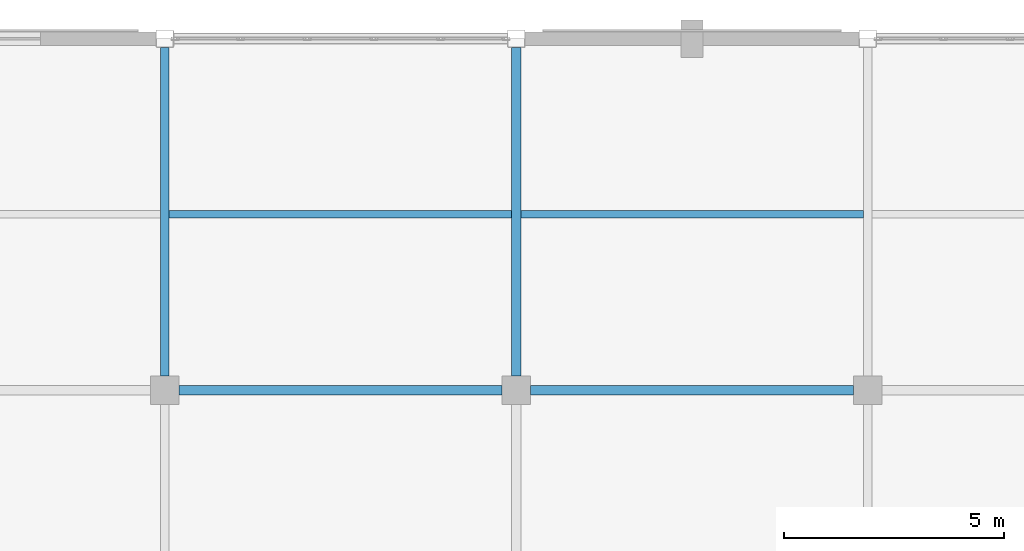
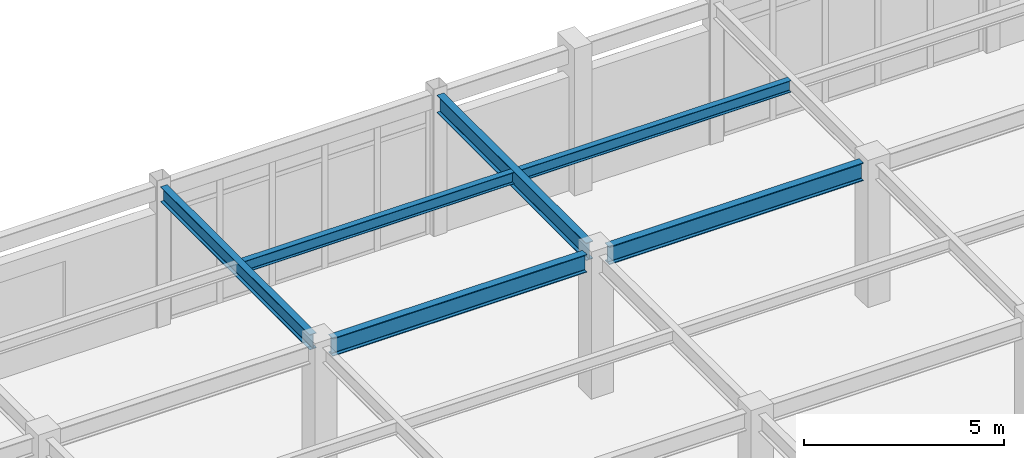
# One storey, part 52 of 111: 6 beams.
"""IFC4 building model written with IfcOpenShell, lengths in metres."""

from ifc_helpers import new_model, si_unit, direction, frame, origin, origin_2d, place, context, subcontext, project, spatial, i_section, extrude, material, material_profile, profile_set, type_object, element, save


model = new_model("IFC4")

# Units and contexts
model_context = context("Model", 3, precision=1e-05, world=origin(), true_north=direction((0.0, 1.0)))
body_context = subcontext(model_context, "Body", "Model", "MODEL_VIEW")
ifc_project = project(units=[si_unit("LENGTHUNIT", "METRE"), si_unit("AREAUNIT", "SQUARE_METRE"), si_unit("VOLUMEUNIT", "CUBIC_METRE"), si_unit("PLANEANGLEUNIT", "RADIAN"), si_unit("MASSUNIT", "GRAM", prefix="KILO")], contexts=[model_context])

# Site, building, storey
site_placement = place(None, origin())
site = spatial("IfcSite", under=ifc_project, at=site_placement, CompositionType="ELEMENT")
building_placement = place(site_placement, origin())
building = spatial("IfcBuilding", under=site, at=building_placement, Name="Solmirada Galleria", CompositionType="ELEMENT")
storey_placement = place(building_placement, frame((0.0, 0.0, 10.39990234375)))
storey = spatial("IfcBuildingStorey", under=building, at=storey_placement, Name="L02", CompositionType="ELEMENT", Elevation=10.39990234375)

# Beams
ifc_material = material(Name="Steel S355 / ASTM A992 Grade 50", Category="steel")
ifc_material_profile_1 = material_profile(ifc_material, i_section(OverallWidth=0.194091796875, OverallDepth=0.468994140625, WebThickness=0.0126953125, FlangeThickness=0.0205078125, FilletRadius=0.013916015625, at=origin_2d()), Name="W18X71")
ifc_profile_set_1 = profile_set([ifc_material_profile_1], Name="Steel S355 / ASTM A992 Grade 50")
beam_type_1 = type_object("IfcBeamType", Name="BM-GIRD-W18B", PredefinedType="BEAM", material=ifc_profile_set_1)
beam_1_placement = place(storey_placement, frame((88.0, 112.324951171875, 4.065673828125), z_axis=(0.0, 1.0, 0.0), x_axis=(-1.0, 0.0, 0.0)))
element("IfcBeam", 1, at=beam_1_placement, inside=storey, type_object=beam_type_1, Name="Primary girder L03 Y(88, 112..120)", PredefinedType="BEAM", context=body_context, shape_type="SweptSolid", body=[
    extrude(i_section(OverallWidth=0.194091796875, OverallDepth=0.468994140625, WebThickness=0.0126953125, FlangeThickness=0.0205078125, FilletRadius=0.013916015625, at=origin_2d()), origin(), (0.0, 0.0, 1.0), 7.47216796875),
])
ifc_material_profile_2 = material_profile(ifc_material, i_section(OverallWidth=0.214111328125, OverallDepth=0.549072265625, WebThickness=0.0146484375, FlangeThickness=0.023681640625, FilletRadius=0.014892578125, at=origin_2d()), Name="W21X93")
ifc_profile_set_2 = profile_set([ifc_material_profile_2], Name="Steel S355 / ASTM A992 Grade 50")
beam_type_2 = type_object("IfcBeamType", Name="BM-GIRD-W21A", PredefinedType="BEAM", material=ifc_profile_set_2)
for number, where, z_axis, x_axis, name in (
    (2, (88.324951171875, 112.0, 4.025634765625), (1.0, 0.0, 0.0), (0.0, 1.0, 0.0), "Primary beam L03 X(88..96, 112)"),
    (3, (96.324951171875, 112.0, 4.025634765625), (1.0, 0.0, 0.0), (0.0, 1.0, 0.0), "Primary beam L03 X(96..104, 112)"),
):
    element("IfcBeam", number, at=place(storey_placement, frame(where, z_axis=z_axis, x_axis=x_axis)), inside=storey, type_object=beam_type_2, Name=name, PredefinedType="BEAM", context=body_context, shape_type="SweptSolid", body=[
        extrude(i_section(OverallWidth=0.214111328125, OverallDepth=0.549072265625, WebThickness=0.0146484375, FlangeThickness=0.023681640625, FilletRadius=0.014892578125, at=origin_2d()), origin(), (0.0, 0.0, 1.0), 7.35009765625),
    ])
ifc_material_profile_3 = material_profile(ifc_material, i_section(OverallWidth=0.2099609375, OverallDepth=0.537109375, WebThickness=0.010986328125, FlangeThickness=0.017333984375, FilletRadius=0.014892578125, at=origin_2d()), Name="W21X68")
ifc_profile_set_3 = profile_set([ifc_material_profile_3], Name="Steel S355 / ASTM A992 Grade 50")
beam_type_3 = type_object("IfcBeamType", Name="BM-GIRD-W21B", PredefinedType="BEAM", material=ifc_profile_set_3)
beam_2_placement = place(storey_placement, frame((96.0, 112.324951171875, 4.031494140625), z_axis=(0.0, 1.0, 0.0), x_axis=(-1.0, 0.0, 0.0)))
element("IfcBeam", 4, at=beam_2_placement, inside=storey, type_object=beam_type_3, Name="Primary girder L03 Y(96, 112..120)", PredefinedType="BEAM", context=body_context, shape_type="SweptSolid", body=[
    extrude(i_section(OverallWidth=0.2099609375, OverallDepth=0.537109375, WebThickness=0.010986328125, FlangeThickness=0.017333984375, FilletRadius=0.014892578125, at=origin_2d()), origin(), (0.0, 0.0, 1.0), 7.47216796875),
])
ifc_material_profile_4 = material_profile(ifc_material, i_section(OverallWidth=0.172119140625, OverallDepth=0.35791015625, WebThickness=0.0078125, FlangeThickness=0.01318359375, FilletRadius=0.011962890625, at=origin_2d()), Name="W14X38")
ifc_profile_set_4 = profile_set([ifc_material_profile_4], Name="Steel S355 / ASTM A992 Grade 50")
beam_type_4 = type_object("IfcBeamType", Name="BM-JST-W14A", PredefinedType="JOIST", material=ifc_profile_set_4)
for number, where, z_axis, x_axis, name in (
    (5, (88.096923828125, 116.0, 4.12109375), (1.0, 0.0, 0.0), (0.0, 1.0, 0.0), "Composite floor joist L03 (88..96, 116.0)"),
    (6, (96.10498046875, 116.0, 4.12109375), (1.0, 0.0, 0.0), (0.0, 1.0, 0.0), "Composite floor joist L03 (96..104, 116.0)"),
):
    element("IfcBeam", number, at=place(storey_placement, frame(where, z_axis=z_axis, x_axis=x_axis)), inside=storey, type_object=beam_type_4, Name=name, PredefinedType="JOIST", context=body_context, shape_type="SweptSolid", body=[
        extrude(i_section(OverallWidth=0.172119140625, OverallDepth=0.35791015625, WebThickness=0.0078125, FlangeThickness=0.01318359375, FilletRadius=0.011962890625, at=origin_2d()), origin(), (0.0, 0.0, 1.0), 7.798095703125),
    ])

save(model, "model.ifc")
